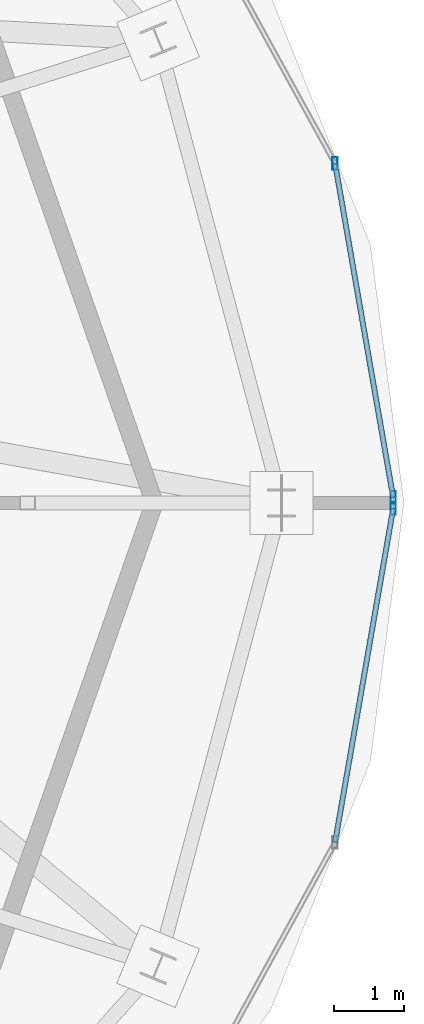
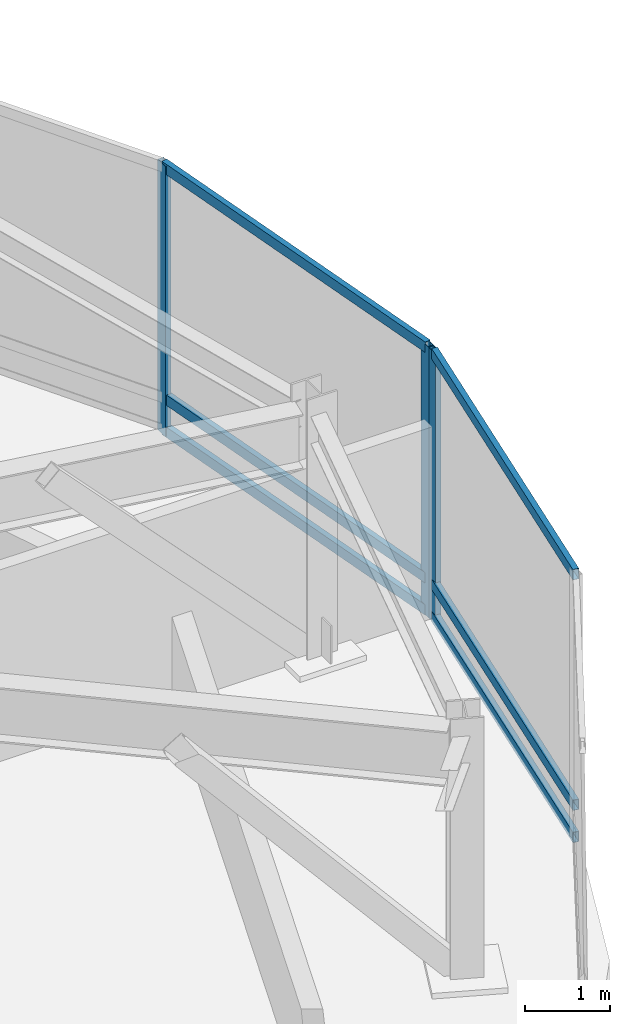
# One storey, part 17 of 28: 9 members, 2 elements without a shape of their own.
"""IFC4 building model written with IfcOpenShell, lengths in metres."""

from ifc_helpers import new_model, si_unit, direction, frame, origin, origin_2d, place, context, subcontext, project, spatial, hollow_rectangle, extrude, material, material_profile, profile_set, type_object, element, aggregate, save


model = new_model("IFC4")

# Units and contexts
model_context = context("Model", 3, precision=1e-05, world=origin(), true_north=direction((0.0, 1.0)))
body_context = subcontext(model_context, "Body", "Model", "MODEL_VIEW")
ifc_project = project(units=[si_unit("LENGTHUNIT", "METRE"), si_unit("AREAUNIT", "SQUARE_METRE"), si_unit("VOLUMEUNIT", "CUBIC_METRE"), si_unit("PLANEANGLEUNIT", "RADIAN"), si_unit("MASSUNIT", "GRAM", prefix="KILO")], contexts=[model_context])

# Site, building, storey
site_placement = place(None, origin())
site = spatial("IfcSite", under=ifc_project, at=site_placement, CompositionType="ELEMENT")
building_placement = place(site_placement, origin())
building = spatial("IfcBuilding", under=site, at=building_placement, Name="Vorneva Point Tower", CompositionType="ELEMENT")
storey_placement = place(building_placement, frame((0.0, 0.0, 295.39990234375)))
storey = spatial("IfcBuildingStorey", under=building, at=storey_placement, Name="C01", CompositionType="ELEMENT", Elevation=295.39990234375)

# Curtain wall, members
ifc_material = material(Name="Pale anodised aluminium", Category="aluminium")
curtain_wall_type = type_object("IfcCurtainWallType", Name="CW-CRN-SYS", PredefinedType="NOTDEFINED", material=ifc_material)
curtain_wall_1_placement = place(storey_placement, origin())
curtain_wall_1 = element("IfcCurtainWall", 1, at=curtain_wall_1_placement, inside=storey, type_object=curtain_wall_type, Name="C01 Unitised Curtain Wall CW-C01-Q1", PredefinedType="NOTDEFINED")
ifc_material_profile_1 = material_profile(ifc_material, hollow_rectangle(XDim=0.074951171875, YDim=0.179931640625, WallThickness=0.00390625, at=origin_2d()), Name="AL-MUL 180x75x4")
ifc_profile_set_1 = profile_set([ifc_material_profile_1], Name="Pale anodised aluminium")
member_type_1 = type_object("IfcMemberType", Name="CW-MUL-180", PredefinedType="MULLION", material=ifc_profile_set_1)
member_1_placement = place(storey_placement, frame((62.63623046875, 26.078857421875, -0.039794921875), z_axis=(0.0, 0.0, 1.0), x_axis=(1.0, 0.0, 0.0)))
member_1 = element("IfcMember", 2, at=member_1_placement, type_object=member_type_1, Name="CW-C01-Q1 Mullion 01", PredefinedType="MULLION", context=body_context, shape_type="SweptSolid", body=[
    extrude(hollow_rectangle(XDim=0.074951171875, YDim=0.179931640625, WallThickness=0.00390625, at=origin_2d()), origin(), (0.0, 0.0, 1.0), 3.869873046875),
])
member_2_placement = place(storey_placement, frame((61.81005859375, 30.824462890625, -0.039794921875), z_axis=(0.0, 0.0, 1.0), x_axis=(1.0, 0.0, 0.0)))
member_2 = element("IfcMember", 3, at=member_2_placement, type_object=member_type_1, Name="CW-C01-Q1 Mullion 02", PredefinedType="MULLION", context=body_context, shape_type="SweptSolid", body=[
    extrude(hollow_rectangle(XDim=0.074951171875, YDim=0.179931640625, WallThickness=0.00390625, at=origin_2d()), origin(), (0.0, 0.0, 1.0), 3.869873046875),
])

# Curtain wall, member
curtain_wall_2_placement = place(storey_placement, origin())
curtain_wall_2 = element("IfcCurtainWall", 4, at=curtain_wall_2_placement, inside=storey, type_object=curtain_wall_type, Name="C01 Unitised Curtain Wall CW-C01-Q4", PredefinedType="NOTDEFINED")
member_3_placement = place(storey_placement, frame((62.63623046875, 25.921142578125, -0.039794921875), z_axis=(0.0, 0.0, 1.0), x_axis=(1.0, 0.0, 0.0)))
member_3 = element("IfcMember", 5, at=member_3_placement, type_object=member_type_1, Name="CW-C01-Q4 Mullion 07", PredefinedType="MULLION", context=body_context, shape_type="SweptSolid", body=[
    extrude(hollow_rectangle(XDim=0.074951171875, YDim=0.179931640625, WallThickness=0.00390625, at=origin_2d()), origin(), (0.0, 0.0, 1.0), 3.869873046875),
])

# Member
ifc_material_profile_2 = material_profile(ifc_material, hollow_rectangle(XDim=0.074951171875, YDim=0.14990234375, WallThickness=0.00390625, at=origin_2d()), Name="AL-TRN 150x75x4")
ifc_profile_set_2 = profile_set([ifc_material_profile_2], Name="Pale anodised aluminium")
member_type_2 = type_object("IfcMemberType", Name="CW-TRN-150", PredefinedType="USERDEFINED", material=ifc_profile_set_2)
member_4_placement = place(storey_placement, frame((62.63623046875, 26.078857421875, 0.02001953125), z_axis=(-0.171512286427, 0.985181980958, 0.0), x_axis=(-0.985181980958, -0.171512286427, 0.0)))
member_4 = element("IfcMember", 6, at=member_4_placement, type_object=member_type_2, Name="CW-C01-Q1 Transom 01.1", ObjectType="TRANSOM", PredefinedType="USERDEFINED", context=body_context, shape_type="SweptSolid", body=[
    extrude(hollow_rectangle(XDim=0.074951171875, YDim=0.14990234375, WallThickness=0.00390625, at=origin_2d()), origin(), (0.0, 0.0, 1.0), 4.81689453125),
])

member_5_placement = place(storey_placement, frame((62.63623046875, 26.078857421875, 0.47998046875), z_axis=(-0.171512286427, 0.985181980958, 0.0), x_axis=(-0.985181980958, -0.171512286427, 0.0)))
member_5 = element("IfcMember", 7, at=member_5_placement, type_object=member_type_2, Name="CW-C01-Q1 Transom 01.2", ObjectType="TRANSOM", PredefinedType="USERDEFINED", context=body_context, shape_type="SweptSolid", body=[
    extrude(hollow_rectangle(XDim=0.074951171875, YDim=0.14990234375, WallThickness=0.00390625, at=origin_2d()), origin(), (0.0, 0.0, 1.0), 4.81689453125),
])

member_6_placement = place(storey_placement, frame((62.63623046875, 26.078857421875, 3.780029296875), z_axis=(-0.171512286427, 0.985181980958, 0.0), x_axis=(-0.985181980958, -0.171512286427, 0.0)))
member_6 = element("IfcMember", 8, at=member_6_placement, type_object=member_type_2, Name="CW-C01-Q1 Transom 01.3", ObjectType="TRANSOM", PredefinedType="USERDEFINED", context=body_context, shape_type="SweptSolid", body=[
    extrude(hollow_rectangle(XDim=0.074951171875, YDim=0.14990234375, WallThickness=0.00390625, at=origin_2d()), origin(), (0.0, 0.0, 1.0), 4.81689453125),
])

aggregate(curtain_wall_1, [member_1, member_2, member_4, member_5, member_6])

member_7_placement = place(storey_placement, frame((61.81005859375, 21.175537109375, 0.02001953125), z_axis=(0.171512286427, 0.985181980958, 0.0), x_axis=(-0.985181980958, 0.171512286427, 0.0)))
member_7 = element("IfcMember", 9, at=member_7_placement, type_object=member_type_2, Name="CW-C01-Q4 Transom 06.1", ObjectType="TRANSOM", PredefinedType="USERDEFINED", context=body_context, shape_type="SweptSolid", body=[
    extrude(hollow_rectangle(XDim=0.074951171875, YDim=0.14990234375, WallThickness=0.00390625, at=origin_2d()), origin(), (0.0, 0.0, 1.0), 4.81689453125),
])

member_8_placement = place(storey_placement, frame((61.81005859375, 21.175537109375, 0.47998046875), z_axis=(0.171512286427, 0.985181980958, 0.0), x_axis=(-0.985181980958, 0.171512286427, 0.0)))
member_8 = element("IfcMember", 10, at=member_8_placement, type_object=member_type_2, Name="CW-C01-Q4 Transom 06.2", ObjectType="TRANSOM", PredefinedType="USERDEFINED", context=body_context, shape_type="SweptSolid", body=[
    extrude(hollow_rectangle(XDim=0.074951171875, YDim=0.14990234375, WallThickness=0.00390625, at=origin_2d()), origin(), (0.0, 0.0, 1.0), 4.81689453125),
])

member_9_placement = place(storey_placement, frame((61.81005859375, 21.175537109375, 3.780029296875), z_axis=(0.171512286427, 0.985181980958, 0.0), x_axis=(-0.985181980958, 0.171512286427, 0.0)))
member_9 = element("IfcMember", 11, at=member_9_placement, type_object=member_type_2, Name="CW-C01-Q4 Transom 06.3", ObjectType="TRANSOM", PredefinedType="USERDEFINED", context=body_context, shape_type="SweptSolid", body=[
    extrude(hollow_rectangle(XDim=0.074951171875, YDim=0.14990234375, WallThickness=0.00390625, at=origin_2d()), origin(), (0.0, 0.0, 1.0), 4.81689453125),
])

aggregate(curtain_wall_2, [member_3, member_7, member_8, member_9])

save(model, "model.ifc")
